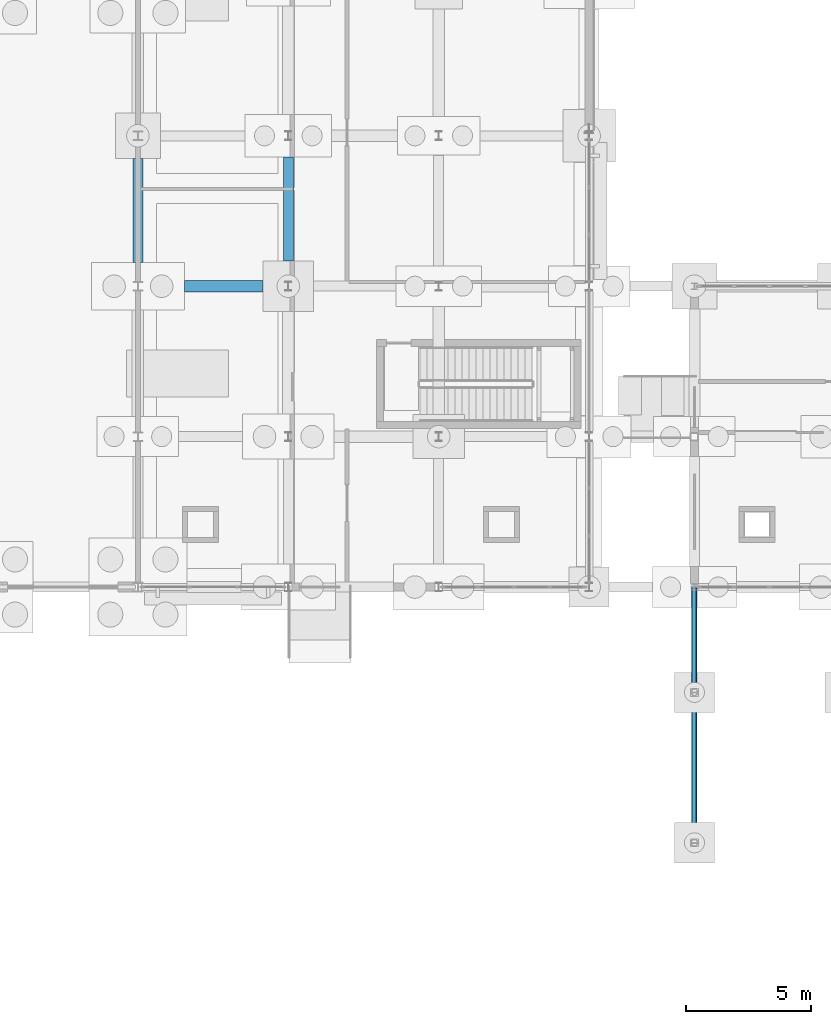
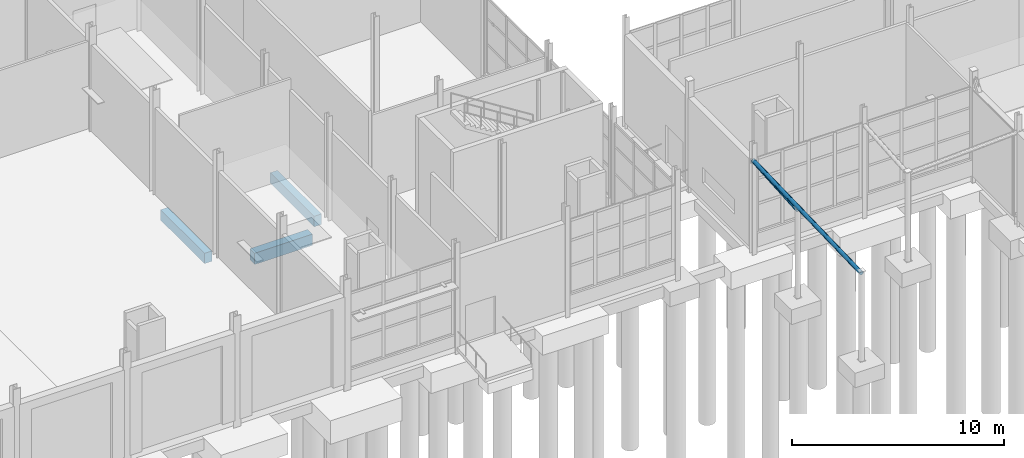
# One storey, part 41 of 120: 3 beams, 2 members.
"""IFC4 building model written with IfcOpenShell, lengths in metres."""

from ifc_helpers import new_model, si_unit, direction, frame, origin, origin_2d, place, context, subcontext, project, spatial, rectangle, hollow_circle, extrude, material, material_profile, profile_set, type_object, element, save


model = new_model("IFC4")

# Units and contexts
model_context = context("Model", 3, precision=1e-05, world=origin(), true_north=direction((0.0, 1.0)))
body_context = subcontext(model_context, "Body", "Model", "MODEL_VIEW")
ifc_project = project(units=[si_unit("LENGTHUNIT", "METRE"), si_unit("AREAUNIT", "SQUARE_METRE"), si_unit("VOLUMEUNIT", "CUBIC_METRE"), si_unit("PLANEANGLEUNIT", "RADIAN"), si_unit("MASSUNIT", "GRAM", prefix="KILO")], contexts=[model_context])

# Site, building, storey
site_placement = place(None, origin())
site = spatial("IfcSite", under=ifc_project, at=site_placement, CompositionType="ELEMENT")
building_placement = place(site_placement, origin())
building = spatial("IfcBuilding", under=site, at=building_placement, Name="Siltcreek Boulevard Central Fire Station", CompositionType="ELEMENT")
storey_placement = place(building_placement, origin())
storey = spatial("IfcBuildingStorey", under=building, at=storey_placement, Name="L01", CompositionType="ELEMENT", Elevation=0.0)

# Members
ifc_material_1 = material(Name="Structural steel ASTM A500 GrC", Category="steel")
ifc_material_profile_1 = material_profile(ifc_material_1, hollow_circle(Radius=0.109619140625, WallThickness=0.00830078125, at=origin_2d()), Name="HSS219.1X8.2")
ifc_profile_set_1 = profile_set([ifc_material_profile_1], Name="Structural steel ASTM A500 GrC")
member_type = type_object("IfcMemberType", Name="BR_CHS219", PredefinedType="BRACE", material=ifc_profile_set_1)
member_1_placement = place(storey_placement, frame((112.199951171875, 7.800048828125, 4.64990234375), z_axis=(0.0, 0.999567609702, 0.029403973104), x_axis=(-1.0, 0.0, 0.0)))
element("IfcMember", 1, at=member_1_placement, inside=storey, type_object=member_type, Name="Boulevard canopy tie strut CS-03", PredefinedType="BRACE", context=body_context, shape_type="SweptSolid", body=[
    extrude(hollow_circle(Radius=0.109619140625, WallThickness=0.00830078125, at=origin_2d()), origin(), (0.0, 0.0, 1.0), 10.204345703125),
])
member_2_placement = place(storey_placement, frame((112.199951171875, 13.800048828125, 4.64990234375), z_axis=(0.0, 0.997457816785, 0.071259411546), x_axis=(-1.0, 0.0, 0.0)))
element("IfcMember", 2, at=member_2_placement, inside=storey, type_object=member_type, Name="Boulevard canopy tie strut CS-04", PredefinedType="BRACE", context=body_context, shape_type="SweptSolid", body=[
    extrude(hollow_circle(Radius=0.109619140625, WallThickness=0.00830078125, at=origin_2d()), origin(), (0.0, 0.0, 1.0), 4.210693359375),
])

# Beams
ifc_material_2 = material(Name="Concrete C35/45", Category="concrete")
ifc_material_profile_2 = material_profile(ifc_material_2, rectangle(XDim=0.39990234375, YDim=0.60009765625, at=origin_2d()), Name="RC400X600")
ifc_profile_set_2 = profile_set([ifc_material_profile_2], Name="Concrete C35/45")
beam_type_1 = type_object("IfcBeamType", Name="GB_RC400X600", PredefinedType="USERDEFINED", material=ifc_profile_set_2)
for number, where, z_axis, x_axis, name in (
    (3, (90.0, 30.951904296875, -0.7099609375), (0.0, 1.0, 0.0), (-1.0, 0.0, 0.0), "Reinforced concrete tie grade beam GB-187"),
    (4, (96.0, 31.001953125, -0.7099609375), (0.0, 1.0, 0.0), (-1.0, 0.0, 0.0), "Reinforced concrete tie grade beam GB-193"),
):
    element("IfcBeam", number, at=place(storey_placement, frame(where, z_axis=z_axis, x_axis=x_axis)), inside=storey, type_object=beam_type_1, Name=name, ObjectType="GRADE BEAM", PredefinedType="USERDEFINED", context=body_context, shape_type="SweptSolid", body=[
        extrude(rectangle(XDim=0.39990234375, YDim=0.60009765625, at=origin_2d()), origin(), (0.0, 0.0, 1.0), 4.14599609375),
    ])
ifc_material_profile_3 = material_profile(ifc_material_2, rectangle(XDim=0.449951171875, YDim=0.64990234375, at=origin_2d()), Name="RC450X650")
ifc_profile_set_3 = profile_set([ifc_material_profile_3], Name="Concrete C35/45")
beam_type_2 = type_object("IfcBeamType", Name="GB_RC450X650", PredefinedType="USERDEFINED", material=ifc_profile_set_3)
beam_placement = place(storey_placement, frame((91.85205078125, 30.0, -0.735107421875), z_axis=(1.0, 0.0, 0.0), x_axis=(0.0, 1.0, 0.0)))
element("IfcBeam", 5, at=beam_placement, inside=storey, type_object=beam_type_2, Name="Reinforced concrete tie grade beam GB-068", ObjectType="GRADE BEAM", PredefinedType="USERDEFINED", context=body_context, shape_type="SweptSolid", body=[
    extrude(rectangle(XDim=0.449951171875, YDim=0.64990234375, at=origin_2d()), origin(), (0.0, 0.0, 1.0), 3.14599609375),
])

save(model, "model.ifc")
